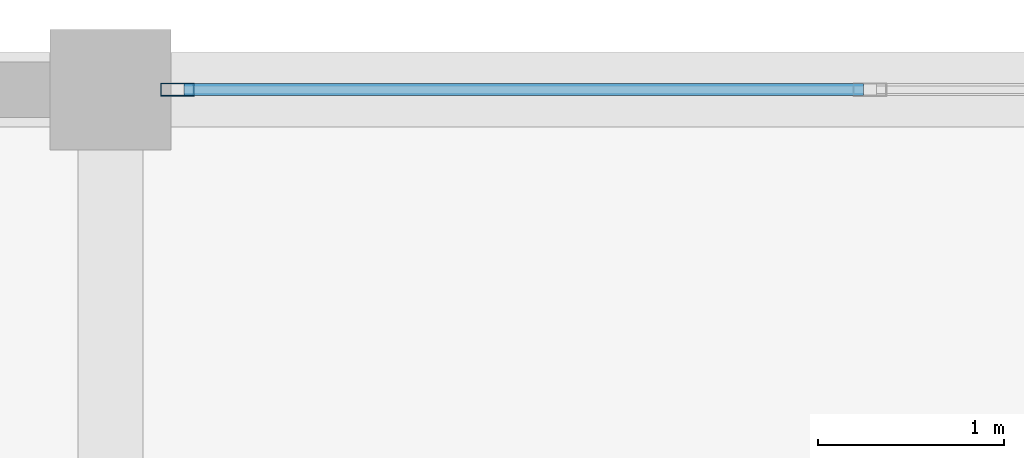
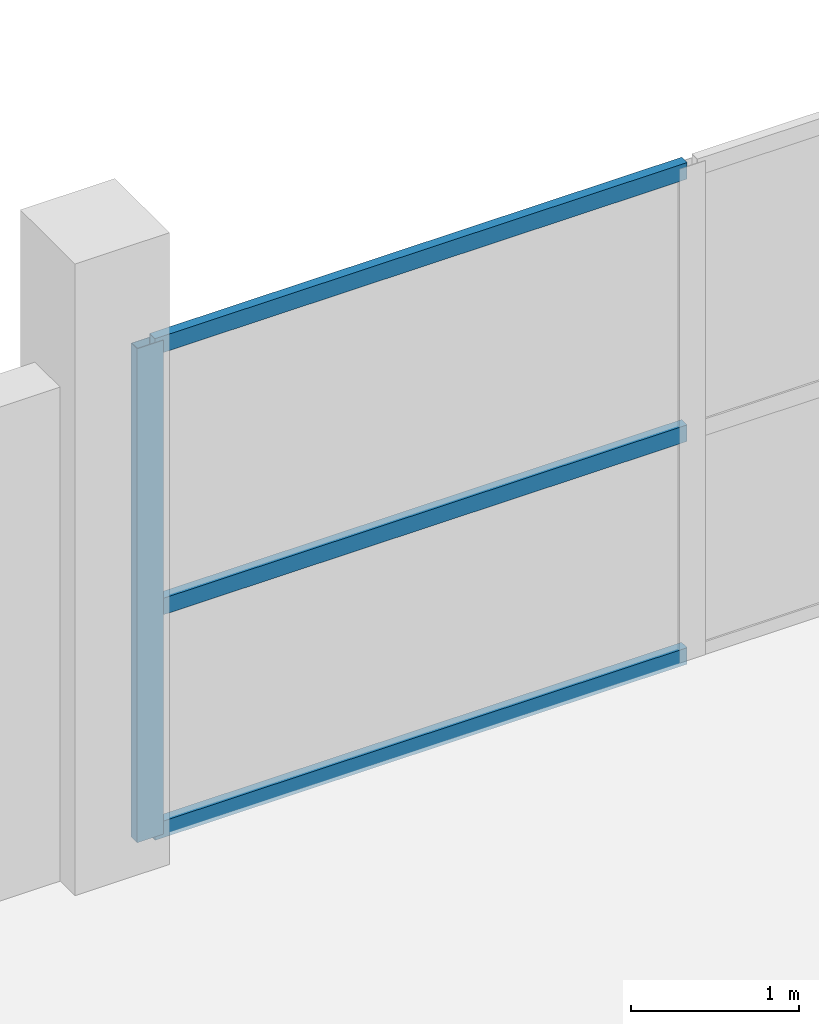
# One storey, part 48 of 69: 4 members, 1 element without a shape of its own.
"""IFC4 building model written with IfcOpenShell, lengths in metres."""

from ifc_helpers import new_model, si_unit, direction, frame, origin, origin_2d, place, context, subcontext, project, spatial, hollow_rectangle, extrude, material, layer, layer_set, material_profile, profile_set, type_object, element, aggregate, save


model = new_model("IFC4")

# Units and contexts
model_context = context("Model", 3, precision=1e-05, world=origin(), true_north=direction((0.0, 1.0)))
body_context = subcontext(model_context, "Body", "Model", "MODEL_VIEW")
ifc_project = project(units=[si_unit("LENGTHUNIT", "METRE"), si_unit("AREAUNIT", "SQUARE_METRE"), si_unit("VOLUMEUNIT", "CUBIC_METRE"), si_unit("PLANEANGLEUNIT", "RADIAN"), si_unit("MASSUNIT", "GRAM", prefix="KILO")], contexts=[model_context])

# Site, building, storey
site_placement = place(None, origin())
site = spatial("IfcSite", under=ifc_project, at=site_placement, CompositionType="ELEMENT")
building_placement = place(site_placement, origin())
building = spatial("IfcBuilding", under=site, at=building_placement, Name="Sillaruma Civic Art Gallery", CompositionType="ELEMENT")
storey_placement = place(building_placement, frame((0.0, 0.0, 42.330078125)))
storey = spatial("IfcBuildingStorey", under=building, at=storey_placement, Name="L08", CompositionType="ELEMENT", Elevation=42.330078125)

# Curtain wall, members
ifc_material = material(Name="Thermally Broken Extruded Aluminium 6063-T6", Category="aluminium")
ifc_layer = layer(ifc_material, 0.179931640625, Name="Thermally Broken Extruded Aluminium 6063-T6")
ifc_layer_set = layer_set([ifc_layer], Name="Thermally Broken Extruded Aluminium 6063-T6")
curtain_wall_type = type_object("IfcCurtainWallType", Name="CW-UNI-59", PredefinedType="NOTDEFINED", material=ifc_layer_set)
curtain_wall_placement = place(storey_placement, origin())
curtain_wall = element("IfcCurtainWall", 1, at=curtain_wall_placement, inside=storey, type_object=curtain_wall_type, Name="Unitised Curtain Wall CW-59 (CW-L08-EBN-2)", PredefinedType="NOTDEFINED")
ifc_material_profile_1 = material_profile(ifc_material, hollow_rectangle(XDim=0.070068359375, YDim=0.179931640625, WallThickness=0.00390625, at=origin_2d()), Name="CWM70x180")
ifc_profile_set_1 = profile_set([ifc_material_profile_1], Name="Thermally Broken Extruded Aluminium 6063-T6")
member_type_1 = type_object("IfcMemberType", Name="MEM-MUL-CWM70x180", PredefinedType="MULLION", material=ifc_profile_set_1)
member_1_placement = place(storey_placement, frame((106.56005859375, 99.0, 0.0), z_axis=(0.0, 0.0, 1.0), x_axis=(0.0, 1.0, 0.0)))
member_1 = element("IfcMember", 2, at=member_1_placement, type_object=member_type_1, Name="CW-59 mullion 1", PredefinedType="MULLION", context=body_context, shape_type="SweptSolid", body=[
    extrude(hollow_rectangle(XDim=0.070068359375, YDim=0.179931640625, WallThickness=0.00390625, at=origin_2d()), origin(), (0.0, 0.0, 1.0), 3.58984375),
])
ifc_material_profile_2 = material_profile(ifc_material, hollow_rectangle(XDim=0.06494140625, YDim=0.1201171875, WallThickness=0.00341796875, at=origin_2d()), Name="CWT65x120")
ifc_profile_set_2 = profile_set([ifc_material_profile_2], Name="Thermally Broken Extruded Aluminium 6063-T6")
member_type_2 = type_object("IfcMemberType", Name="MEM-TRN-CWT65x120", PredefinedType="USERDEFINED", material=ifc_profile_set_2)
member_2_placement = place(storey_placement, frame((106.594970703125, 99.0, 0.032470703125), z_axis=(1.0, 0.0, 0.0), x_axis=(0.0, 1.0, 0.0)))
member_2 = element("IfcMember", 3, at=member_2_placement, type_object=member_type_2, Name="CW-59 transom 1.1", ObjectType="TRANSOM", PredefinedType="USERDEFINED", context=body_context, shape_type="SweptSolid", body=[
    extrude(hollow_rectangle(XDim=0.06494140625, YDim=0.1201171875, WallThickness=0.00341796875, at=origin_2d()), origin(), (0.0, 0.0, 1.0), 3.657470703125),
])
member_3_placement = place(storey_placement, frame((106.594970703125, 99.0, 1.6513671875), z_axis=(1.0, 0.0, 0.0), x_axis=(0.0, 1.0, 0.0)))
member_3 = element("IfcMember", 4, at=member_3_placement, type_object=member_type_2, Name="CW-59 transom 1.2", ObjectType="TRANSOM", PredefinedType="USERDEFINED", context=body_context, shape_type="SweptSolid", body=[
    extrude(hollow_rectangle(XDim=0.06494140625, YDim=0.1201171875, WallThickness=0.00341796875, at=origin_2d()), origin(), (0.0, 0.0, 1.0), 3.657470703125),
])
member_4_placement = place(storey_placement, frame((106.594970703125, 99.0, 3.557373046875), z_axis=(1.0, 0.0, 0.0), x_axis=(0.0, 1.0, 0.0)))
member_4 = element("IfcMember", 5, at=member_4_placement, type_object=member_type_2, Name="CW-59 transom 1.3", ObjectType="TRANSOM", PredefinedType="USERDEFINED", context=body_context, shape_type="SweptSolid", body=[
    extrude(hollow_rectangle(XDim=0.06494140625, YDim=0.1201171875, WallThickness=0.00341796875, at=origin_2d()), origin(), (0.0, 0.0, 1.0), 3.657470703125),
])
aggregate(curtain_wall, [member_1, member_2, member_3, member_4])

save(model, "model.ifc")
